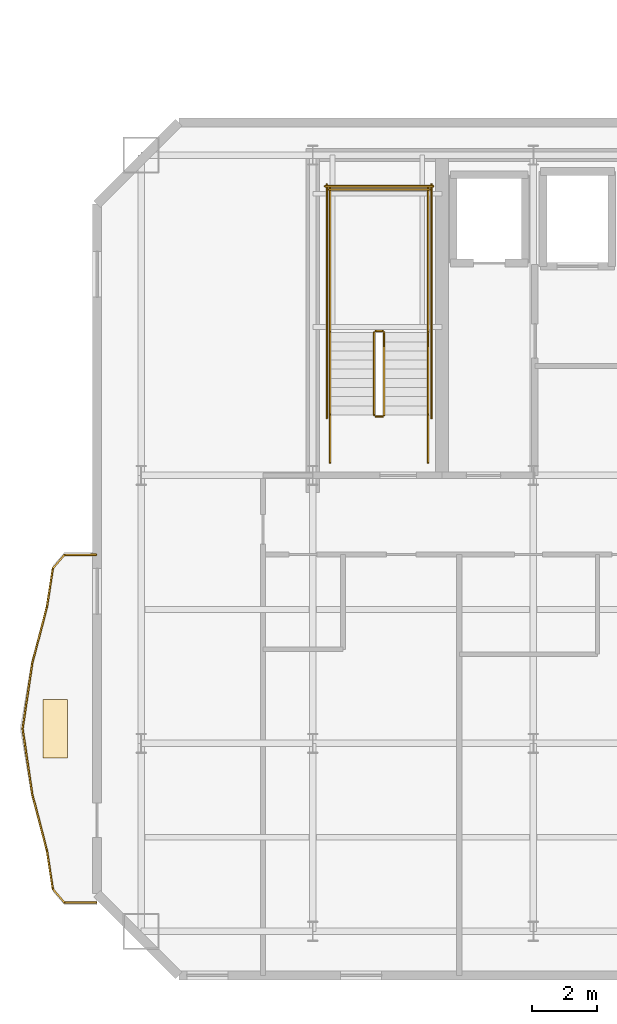
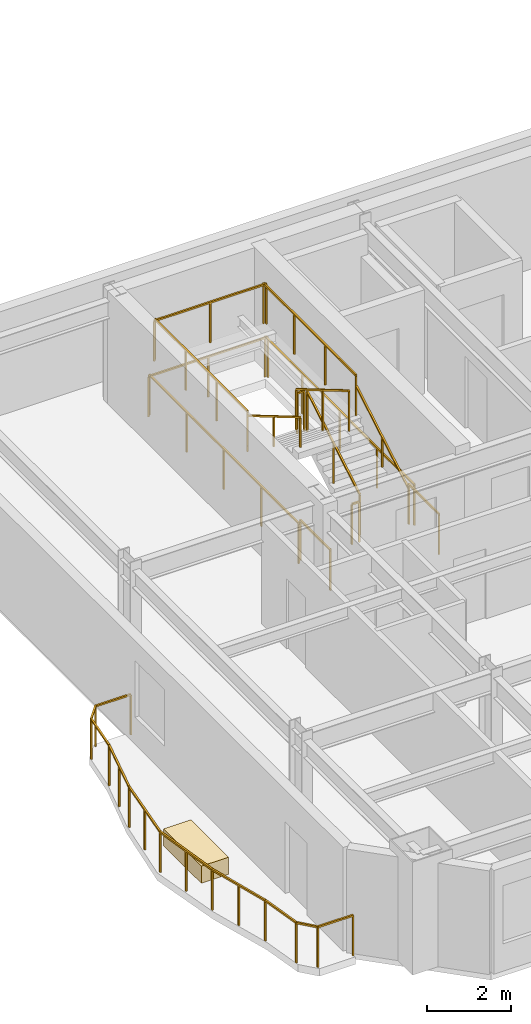
# One storey, part 10 of 13: 24 railings, 1 covering.
"""IFC4 building model written with IfcOpenShell, lengths in metres."""

from ifc_helpers import new_model, si_unit, direction, frame, origin, origin_2d, place, context, subcontext, project, spatial, rectangle, extrude, material, layer, layer_set, type_object, element, save


model = new_model("IFC4")

# Units and contexts
model_context = context("Model", 3, precision=1e-05, world=origin(), true_north=direction((0.0, 1.0)))
body_context = subcontext(model_context, "Body", "Model", "MODEL_VIEW")
ifc_project = project(units=[si_unit("LENGTHUNIT", "METRE"), si_unit("AREAUNIT", "SQUARE_METRE"), si_unit("VOLUMEUNIT", "CUBIC_METRE"), si_unit("PLANEANGLEUNIT", "RADIAN"), si_unit("MASSUNIT", "GRAM", prefix="KILO")], contexts=[model_context])

# Site, building, storey
site_placement = place(None, origin())
site = spatial("IfcSite", under=ifc_project, at=site_placement, CompositionType="ELEMENT")
building_placement = place(site_placement, origin())
building = spatial("IfcBuilding", under=site, at=building_placement, Name="Haevon Station Towers", CompositionType="ELEMENT")
storey_placement = place(building_placement, frame((0.0, 0.0, 225.300048828125)))
storey = spatial("IfcBuildingStorey", under=building, at=storey_placement, Name="L62", CompositionType="ELEMENT", Elevation=225.300048828125)

# Railings
ifc_material_1 = material(Name="Steel S355", Category="steel")
railing_type_1 = type_object("IfcRailingType", Name="GRD-EXT1200", PredefinedType="GUARDRAIL", material=ifc_material_1)
railing_1_placement = place(storey_placement, frame((17.37646484375, 35.772216796875, 0.0)))
element("IfcRailing", 1, at=railing_1_placement, inside=storey, type_object=railing_type_1, Name="L62 Perimeter Guardrail 1", PredefinedType="GUARDRAIL", context=body_context, shape_type="SweptSolid", body=[
    extrude(rectangle(XDim=0.048095703125, YDim=0.048095703125, at=origin_2d()), frame((0.0, 0.0, 1.17578125), z_axis=(-0.999997457331, -0.002255068182, 0.0), x_axis=(0.002255068182, -0.999997457331, 0.0)), (0.0, 0.0, 1.0), 0.974365234375),
    extrude(rectangle(XDim=0.0419921875, YDim=0.0419921875, at=origin_2d()), origin(), (0.0, 0.0, 1.0), 1.15185546875),
    extrude(rectangle(XDim=0.0419921875, YDim=0.0419921875, at=origin_2d()), frame((-0.974365234375, -0.002197265625, 0.0)), (0.0, 0.0, 1.0), 1.15185546875),
])
railing_2_placement = place(storey_placement, frame((16.402099609375, 35.77001953125, 0.0)))
element("IfcRailing", 2, at=railing_2_placement, inside=storey, type_object=railing_type_1, Name="L62 Perimeter Guardrail 2", PredefinedType="GUARDRAIL", context=body_context, shape_type="SweptSolid", body=[
    extrude(rectangle(XDim=0.048095703125, YDim=0.048095703125, at=origin_2d()), frame((0.0, 0.0, 1.17578125), z_axis=(-0.65275272143, -0.757571042652, 0.0), x_axis=(0.757571042652, -0.65275272143, 0.0)), (0.0, 0.0, 1.0), 0.542724609375),
    extrude(rectangle(XDim=0.0419921875, YDim=0.0419921875, at=origin_2d()), origin(), (0.0, 0.0, 1.0), 1.15185546875),
    extrude(rectangle(XDim=0.0419921875, YDim=0.0419921875, at=origin_2d()), frame((-0.354248046875, -0.4111328125, 0.0)), (0.0, 0.0, 1.0), 1.15185546875),
])
railing_3_placement = place(storey_placement, frame((16.0478515625, 35.35888671875, 0.0)))
element("IfcRailing", 3, at=railing_3_placement, inside=storey, type_object=railing_type_1, Name="L62 Perimeter Guardrail 3", PredefinedType="GUARDRAIL", context=body_context, shape_type="SweptSolid", body=[
    extrude(rectangle(XDim=0.048095703125, YDim=0.048095703125, at=origin_2d()), frame((0.0, 0.0, 1.17578125), z_axis=(-0.152150136811, -0.988357392783, 0.0), x_axis=(0.988357392783, -0.152150136811, 0.0)), (0.0, 0.0, 1.0), 1.18408203125),
    extrude(rectangle(XDim=0.0419921875, YDim=0.0419921875, at=origin_2d()), origin(), (0.0, 0.0, 1.0), 1.15185546875),
    extrude(rectangle(XDim=0.0419921875, YDim=0.0419921875, at=origin_2d()), frame((-0.18017578125, -1.17041015625, 0.0)), (0.0, 0.0, 1.0), 1.15185546875),
])
railing_4_placement = place(storey_placement, frame((15.86767578125, 34.1884765625, 0.0)))
element("IfcRailing", 4, at=railing_4_placement, inside=storey, type_object=railing_type_1, Name="L62 Perimeter Guardrail 4", PredefinedType="GUARDRAIL", context=body_context, shape_type="SweptSolid", body=[
    extrude(rectangle(XDim=0.048095703125, YDim=0.048095703125, at=origin_2d()), frame((0.0, 0.0, 1.17578125), z_axis=(-0.25111702381, -0.967956734752, 0.0), x_axis=(0.967956734752, -0.25111702381, 0.0)), (0.0, 0.0, 1.0), 1.805419921875),
    extrude(rectangle(XDim=0.0419921875, YDim=0.0419921875, at=origin_2d()), origin(), (0.0, 0.0, 1.0), 1.15185546875),
    extrude(rectangle(XDim=0.0419921875, YDim=0.0419921875, at=origin_2d()), frame((-0.2265625, -0.873779296875, 0.0)), (0.0, 0.0, 1.0), 1.15185546875),
    extrude(rectangle(XDim=0.0419921875, YDim=0.0419921875, at=origin_2d()), frame((-0.453369140625, -1.74755859375, 0.0)), (0.0, 0.0, 1.0), 1.15185546875),
])
railing_5_placement = place(storey_placement, frame((15.414306640625, 32.44091796875, 0.0)))
element("IfcRailing", 5, at=railing_5_placement, inside=storey, type_object=railing_type_1, Name="L62 Perimeter Guardrail 5", PredefinedType="GUARDRAIL", context=body_context, shape_type="SweptSolid", body=[
    extrude(rectangle(XDim=0.048095703125, YDim=0.048095703125, at=origin_2d()), frame((0.0, 0.0, 1.17578125), z_axis=(-0.14558130584, -0.989346290937, 0.0), x_axis=(0.989346290937, -0.14558130584, 0.0)), (0.0, 0.0, 1.0), 2.012451171875),
    extrude(rectangle(XDim=0.0419921875, YDim=0.0419921875, at=origin_2d()), origin(), (0.0, 0.0, 1.0), 1.15185546875),
    extrude(rectangle(XDim=0.0419921875, YDim=0.0419921875, at=origin_2d()), frame((-0.146484375, -0.99560546875, 0.0)), (0.0, 0.0, 1.0), 1.15185546875),
    extrude(rectangle(XDim=0.0419921875, YDim=0.0419921875, at=origin_2d()), frame((-0.29296875, -1.990966796875, 0.0)), (0.0, 0.0, 1.0), 1.15185546875),
])
railing_6_placement = place(storey_placement, frame((15.121337890625, 30.449951171875, 0.0)))
element("IfcRailing", 6, at=railing_6_placement, inside=storey, type_object=railing_type_1, Name="L62 Perimeter Guardrail 6", PredefinedType="GUARDRAIL", context=body_context, shape_type="SweptSolid", body=[
    extrude(rectangle(XDim=0.048095703125, YDim=0.048095703125, at=origin_2d()), frame((0.0, 0.0, 1.17578125), z_axis=(0.14558130584, -0.989346290937, 0.0), x_axis=(0.989346290937, 0.14558130584, 0.0)), (0.0, 0.0, 1.0), 2.012451171875),
    extrude(rectangle(XDim=0.0419921875, YDim=0.0419921875, at=origin_2d()), origin(), (0.0, 0.0, 1.0), 1.15185546875),
    extrude(rectangle(XDim=0.0419921875, YDim=0.0419921875, at=origin_2d()), frame((0.146484375, -0.99560546875, 0.0)), (0.0, 0.0, 1.0), 1.15185546875),
    extrude(rectangle(XDim=0.0419921875, YDim=0.0419921875, at=origin_2d()), frame((0.29296875, -1.990966796875, 0.0)), (0.0, 0.0, 1.0), 1.15185546875),
])
railing_7_placement = place(storey_placement, frame((15.414306640625, 28.458984375, 0.0)))
element("IfcRailing", 7, at=railing_7_placement, inside=storey, type_object=railing_type_1, Name="L62 Perimeter Guardrail 7", PredefinedType="GUARDRAIL", context=body_context, shape_type="SweptSolid", body=[
    extrude(rectangle(XDim=0.048095703125, YDim=0.048095703125, at=origin_2d()), frame((0.0, 0.0, 1.17578125), z_axis=(0.25111702381, -0.967956734752, 0.0), x_axis=(0.967956734752, 0.25111702381, 0.0)), (0.0, 0.0, 1.0), 1.805419921875),
    extrude(rectangle(XDim=0.0419921875, YDim=0.0419921875, at=origin_2d()), origin(), (0.0, 0.0, 1.0), 1.15185546875),
    extrude(rectangle(XDim=0.0419921875, YDim=0.0419921875, at=origin_2d()), frame((0.2265625, -0.873779296875, 0.0)), (0.0, 0.0, 1.0), 1.15185546875),
    extrude(rectangle(XDim=0.0419921875, YDim=0.0419921875, at=origin_2d()), frame((0.453369140625, -1.74755859375, 0.0)), (0.0, 0.0, 1.0), 1.15185546875),
])
railing_8_placement = place(storey_placement, frame((15.86767578125, 26.71142578125, 0.0)))
element("IfcRailing", 8, at=railing_8_placement, inside=storey, type_object=railing_type_1, Name="L62 Perimeter Guardrail 8", PredefinedType="GUARDRAIL", context=body_context, shape_type="SweptSolid", body=[
    extrude(rectangle(XDim=0.048095703125, YDim=0.048095703125, at=origin_2d()), frame((0.0, 0.0, 1.17578125), z_axis=(0.152150136811, -0.988357392783, 0.0), x_axis=(0.988357392783, 0.152150136811, 0.0)), (0.0, 0.0, 1.0), 1.18408203125),
    extrude(rectangle(XDim=0.0419921875, YDim=0.0419921875, at=origin_2d()), origin(), (0.0, 0.0, 1.0), 1.15185546875),
    extrude(rectangle(XDim=0.0419921875, YDim=0.0419921875, at=origin_2d()), frame((0.18017578125, -1.17041015625, 0.0)), (0.0, 0.0, 1.0), 1.15185546875),
])
railing_9_placement = place(storey_placement, frame((16.0478515625, 25.541015625, 0.0)))
element("IfcRailing", 9, at=railing_9_placement, inside=storey, type_object=railing_type_1, Name="L62 Perimeter Guardrail 9", PredefinedType="GUARDRAIL", context=body_context, shape_type="SweptSolid", body=[
    extrude(rectangle(XDim=0.048095703125, YDim=0.048095703125, at=origin_2d()), frame((0.0, 0.0, 1.17578125), z_axis=(0.65275272143, -0.757571042652, 0.0), x_axis=(0.757571042652, 0.65275272143, 0.0)), (0.0, 0.0, 1.0), 0.542724609375),
    extrude(rectangle(XDim=0.0419921875, YDim=0.0419921875, at=origin_2d()), origin(), (0.0, 0.0, 1.0), 1.15185546875),
    extrude(rectangle(XDim=0.0419921875, YDim=0.0419921875, at=origin_2d()), frame((0.354248046875, -0.4111328125, 0.0)), (0.0, 0.0, 1.0), 1.15185546875),
])
railing_10_placement = place(storey_placement, frame((16.402099609375, 25.1298828125, 0.0)))
element("IfcRailing", 10, at=railing_10_placement, inside=storey, type_object=railing_type_1, Name="L62 Perimeter Guardrail 10", PredefinedType="GUARDRAIL", context=body_context, shape_type="SweptSolid", body=[
    extrude(rectangle(XDim=0.048095703125, YDim=0.048095703125, at=origin_2d()), frame((0.0, 0.0, 1.17578125), z_axis=(0.999997990976, -0.002004506121, 0.0), x_axis=(0.002004506121, 0.999997990976, 0.0)), (0.0, 0.0, 1.0), 0.974365234375),
    extrude(rectangle(XDim=0.0419921875, YDim=0.0419921875, at=origin_2d()), origin(), (0.0, 0.0, 1.0), 1.15185546875),
    extrude(rectangle(XDim=0.0419921875, YDim=0.0419921875, at=origin_2d()), frame((0.974365234375, -0.001953125, 0.0)), (0.0, 0.0, 1.0), 1.15185546875),
])
railing_type_2 = type_object("IfcRailingType", Name="GRD-STR1200", PredefinedType="GUARDRAIL", material=ifc_material_1)
railing_11_placement = place(storey_placement, frame((26.179931640625, 40.050048828125, 0.1650390625)))
element("IfcRailing", 11, at=railing_11_placement, inside=storey, type_object=railing_type_2, Name="L62 ST1 Stair Guard 1", PredefinedType="GUARDRAIL", context=body_context, shape_type="SweptSolid", body=[
    extrude(rectangle(XDim=0.048095703125, YDim=0.048095703125, at=origin_2d()), frame((0.0, 0.0, 1.17578125), z_axis=(0.0, 0.861560626758, 0.507654692109), x_axis=(-1.0, 0.0, 0.0)), (0.0, 0.0, 1.0), 2.925048828125),
    extrude(rectangle(XDim=0.0419921875, YDim=0.0419921875, at=origin_2d()), origin(), (0.0, 0.0, 1.0), 1.15185546875),
    extrude(rectangle(XDim=0.0419921875, YDim=0.0419921875, at=origin_2d()), frame((0.0, 1.260009765625, 0.742431640625)), (0.0, 0.0, 1.0), 1.15185546875),
    extrude(rectangle(XDim=0.0419921875, YDim=0.0419921875, at=origin_2d()), frame((0.0, 2.52001953125, 1.48486328125)), (0.0, 0.0, 1.0), 1.15185546875),
])
railing_12_placement = place(storey_placement, frame((26.1298828125, 42.6201171875, 1.64990234375)))
element("IfcRailing", 12, at=railing_12_placement, inside=storey, type_object=railing_type_2, Name="L62 ST1 Stair Guard 2", PredefinedType="GUARDRAIL", context=body_context, shape_type="SweptSolid", body=[
    extrude(rectangle(XDim=0.048095703125, YDim=0.048095703125, at=origin_2d()), frame((0.0, 0.0, 1.17578125), z_axis=(-1.0, 0.0, 0.0), x_axis=(0.0, -1.0, 0.0)), (0.0, 0.0, 1.0), 0.199951171875),
    extrude(rectangle(XDim=0.0419921875, YDim=0.0419921875, at=origin_2d()), origin(), (0.0, 0.0, 1.0), 1.15185546875),
    extrude(rectangle(XDim=0.0419921875, YDim=0.0419921875, at=origin_2d()), frame((-0.199951171875, 0.0, 0.0)), (0.0, 0.0, 1.0), 1.15185546875),
])
for number, where, name in (
    (13, (27.530029296875, 42.570068359375, 1.64990234375), "L62 ST1 Stair Guard 3"),
    (14, (24.530029296875, 42.570068359375, 1.64990234375), "L62 ST1 Stair Guard 4"),
):
    element("IfcRailing", number, at=place(storey_placement, frame(where)), inside=storey, type_object=railing_type_2, Name=name, PredefinedType="GUARDRAIL", context=body_context, shape_type="SweptSolid", body=[
        extrude(rectangle(XDim=0.048095703125, YDim=0.048095703125, at=origin_2d()), frame((0.0, 0.0, 1.17578125), z_axis=(0.0, 1.0, 0.0), x_axis=(-1.0, 0.0, 0.0)), (0.0, 0.0, 1.0), 4.429931640625),
        extrude(rectangle(XDim=0.0419921875, YDim=0.0419921875, at=origin_2d()), origin(), (0.0, 0.0, 1.0), 1.15185546875),
        extrude(rectangle(XDim=0.0419921875, YDim=0.0419921875, at=origin_2d()), frame((0.0, 1.4765625, 0.0)), (0.0, 0.0, 1.0), 1.15185546875),
        extrude(rectangle(XDim=0.0419921875, YDim=0.0419921875, at=origin_2d()), frame((0.0, 2.953369140625, 0.0)), (0.0, 0.0, 1.0), 1.15185546875),
        extrude(rectangle(XDim=0.0419921875, YDim=0.0419921875, at=origin_2d()), frame((0.0, 4.429931640625, 0.0)), (0.0, 0.0, 1.0), 1.15185546875),
    ])
railing_13_placement = place(storey_placement, frame((27.580078125, 46.949951171875, 1.64990234375)))
element("IfcRailing", 15, at=railing_13_placement, inside=storey, type_object=railing_type_2, Name="L62 ST1 Stair Guard 5", PredefinedType="GUARDRAIL", context=body_context, shape_type="SweptSolid", body=[
    extrude(rectangle(XDim=0.048095703125, YDim=0.048095703125, at=origin_2d()), frame((0.0, 0.0, 1.17578125), z_axis=(-1.0, 0.0, 0.0), x_axis=(0.0, -1.0, 0.0)), (0.0, 0.0, 1.0), 3.10009765625),
    extrude(rectangle(XDim=0.0419921875, YDim=0.0419921875, at=origin_2d()), origin(), (0.0, 0.0, 1.0), 1.15185546875),
    extrude(rectangle(XDim=0.0419921875, YDim=0.0419921875, at=origin_2d()), frame((-1.550048828125, 0.0, 0.0)), (0.0, 0.0, 1.0), 1.15185546875),
    extrude(rectangle(XDim=0.0419921875, YDim=0.0419921875, at=origin_2d()), frame((-3.10009765625, 0.0, 0.0)), (0.0, 0.0, 1.0), 1.15185546875),
])
railing_14_placement = place(storey_placement, frame((25.8798828125, 42.570068359375, 1.81494140625)))
element("IfcRailing", 16, at=railing_14_placement, inside=storey, type_object=railing_type_2, Name="L62 ST1 Stair Guard 6", PredefinedType="GUARDRAIL", context=body_context, shape_type="SweptSolid", body=[
    extrude(rectangle(XDim=0.048095703125, YDim=0.048095703125, at=origin_2d()), frame((0.0, 0.0, 1.17578125), z_axis=(0.0, -0.86152411907, 0.507716645641), x_axis=(1.0, 0.0, 0.0)), (0.0, 0.0, 1.0), 2.925048828125),
    extrude(rectangle(XDim=0.0419921875, YDim=0.0419921875, at=origin_2d()), origin(), (0.0, 0.0, 1.0), 1.15185546875),
    extrude(rectangle(XDim=0.0419921875, YDim=0.0419921875, at=origin_2d()), frame((0.0, -1.260009765625, 0.74267578125)), (0.0, 0.0, 1.0), 1.15185546875),
    extrude(rectangle(XDim=0.0419921875, YDim=0.0419921875, at=origin_2d()), frame((0.0, -2.52001953125, 1.485107421875)), (0.0, 0.0, 1.0), 1.15185546875),
])
railing_15_placement = place(storey_placement, frame((26.1298828125, 40.0, 0.0)))
element("IfcRailing", 17, at=railing_15_placement, inside=storey, type_object=railing_type_2, Name="L62 ST1 Stair Guard 7", PredefinedType="GUARDRAIL", context=body_context, shape_type="SweptSolid", body=[
    extrude(rectangle(XDim=0.048095703125, YDim=0.048095703125, at=origin_2d()), frame((0.0, 0.0, 1.17578125), z_axis=(-1.0, 0.0, 0.0), x_axis=(0.0, -1.0, 0.0)), (0.0, 0.0, 1.0), 0.199951171875),
    extrude(rectangle(XDim=0.0419921875, YDim=0.0419921875, at=origin_2d()), origin(), (0.0, 0.0, 1.0), 1.15185546875),
    extrude(rectangle(XDim=0.0419921875, YDim=0.0419921875, at=origin_2d()), frame((-0.199951171875, 0.0, 0.0)), (0.0, 0.0, 1.0), 1.15185546875),
])
for number, where, name in (
    (18, (27.530029296875, 38.60009765625, 0.0), "L62 ST1 Stair Guard 8"),
    (19, (24.530029296875, 38.60009765625, 0.0), "L62 ST1 Stair Guard 9"),
):
    element("IfcRailing", number, at=place(storey_placement, frame(where)), inside=storey, type_object=railing_type_2, Name=name, PredefinedType="GUARDRAIL", context=body_context, shape_type="SweptSolid", body=[
        extrude(rectangle(XDim=0.048095703125, YDim=0.048095703125, at=origin_2d()), frame((0.0, 0.0, 1.17578125), z_axis=(0.0, 1.0, 0.0), x_axis=(-1.0, 0.0, 0.0)), (0.0, 0.0, 1.0), 1.449951171875),
        extrude(rectangle(XDim=0.0419921875, YDim=0.0419921875, at=origin_2d()), origin(), (0.0, 0.0, 1.0), 1.15185546875),
        extrude(rectangle(XDim=0.0419921875, YDim=0.0419921875, at=origin_2d()), frame((0.0, 1.449951171875, 0.0)), (0.0, 0.0, 1.0), 1.15185546875),
    ])
for number, where, name in (
    (20, (27.6298828125, 39.949951171875, 0.0), "L62 ST1 Stair Guard 10"),
    (21, (24.429931640625, 39.949951171875, 0.0), "L62 ST1 Stair Guard 11"),
):
    element("IfcRailing", number, at=place(storey_placement, frame(where)), inside=storey, type_object=railing_type_2, Name=name, PredefinedType="GUARDRAIL", context=body_context, shape_type="SweptSolid", body=[
        extrude(rectangle(XDim=0.048095703125, YDim=0.048095703125, at=origin_2d()), frame((0.0, 0.0, 1.17578125), z_axis=(0.0, 1.0, 0.0), x_axis=(-1.0, 0.0, 0.0)), (0.0, 0.0, 1.0), 7.150146484375),
        extrude(rectangle(XDim=0.0419921875, YDim=0.0419921875, at=origin_2d()), origin(), (0.0, 0.0, 1.0), 1.15185546875),
        extrude(rectangle(XDim=0.0419921875, YDim=0.0419921875, at=origin_2d()), frame((0.0, 1.78759765625, 0.0)), (0.0, 0.0, 1.0), 1.15185546875),
        extrude(rectangle(XDim=0.0419921875, YDim=0.0419921875, at=origin_2d()), frame((0.0, 3.5751953125, 0.0)), (0.0, 0.0, 1.0), 1.15185546875),
        extrude(rectangle(XDim=0.0419921875, YDim=0.0419921875, at=origin_2d()), frame((0.0, 5.362548828125, 0.0)), (0.0, 0.0, 1.0), 1.15185546875),
        extrude(rectangle(XDim=0.0419921875, YDim=0.0419921875, at=origin_2d()), frame((0.0, 7.150146484375, 0.0)), (0.0, 0.0, 1.0), 1.15185546875),
    ])
railing_16_placement = place(storey_placement, frame((27.679931640625, 47.050048828125, 0.0)))
element("IfcRailing", 22, at=railing_16_placement, inside=storey, type_object=railing_type_2, Name="L62 ST1 Stair Guard 12", PredefinedType="GUARDRAIL", context=body_context, shape_type="SweptSolid", body=[
    extrude(rectangle(XDim=0.048095703125, YDim=0.048095703125, at=origin_2d()), frame((0.0, 0.0, 1.17578125), z_axis=(-1.0, 0.0, 0.0), x_axis=(0.0, -1.0, 0.0)), (0.0, 0.0, 1.0), 3.300048828125),
    extrude(rectangle(XDim=0.0419921875, YDim=0.0419921875, at=origin_2d()), origin(), (0.0, 0.0, 1.0), 1.15185546875),
    extrude(rectangle(XDim=0.0419921875, YDim=0.0419921875, at=origin_2d()), frame((-1.64990234375, 0.0, 0.0)), (0.0, 0.0, 1.0), 1.15185546875),
    extrude(rectangle(XDim=0.0419921875, YDim=0.0419921875, at=origin_2d()), frame((-3.300048828125, 0.0, 0.0)), (0.0, 0.0, 1.0), 1.15185546875),
])
railing_type_3 = type_object("IfcRailingType", Name="HND-STR900", PredefinedType="HANDRAIL", material=ifc_material_1)
railing_17_placement = place(storey_placement, frame((27.530029296875, 40.050048828125, 0.1650390625)))
element("IfcRailing", 23, at=railing_17_placement, inside=storey, type_object=railing_type_3, Name="L62 ST1 Stair Handrail 1", PredefinedType="HANDRAIL", context=body_context, shape_type="SweptSolid", body=[
    extrude(rectangle(XDim=0.048095703125, YDim=0.048095703125, at=origin_2d()), frame((0.0, 0.0, 0.8759765625), z_axis=(0.0, 0.861560626758, 0.507654692109), x_axis=(-1.0, 0.0, 0.0)), (0.0, 0.0, 1.0), 2.925048828125),
    extrude(rectangle(XDim=0.0419921875, YDim=0.0419921875, at=origin_2d()), origin(), (0.0, 0.0, 1.0), 0.851806640625),
    extrude(rectangle(XDim=0.0419921875, YDim=0.0419921875, at=origin_2d()), frame((0.0, 1.260009765625, 0.742431640625)), (0.0, 0.0, 1.0), 0.851806640625),
    extrude(rectangle(XDim=0.0419921875, YDim=0.0419921875, at=origin_2d()), frame((0.0, 2.52001953125, 1.48486328125)), (0.0, 0.0, 1.0), 0.851806640625),
])
railing_18_placement = place(storey_placement, frame((24.530029296875, 42.570068359375, 1.81494140625)))
element("IfcRailing", 24, at=railing_18_placement, inside=storey, type_object=railing_type_3, Name="L62 ST1 Stair Handrail 2", PredefinedType="HANDRAIL", context=body_context, shape_type="SweptSolid", body=[
    extrude(rectangle(XDim=0.048095703125, YDim=0.048095703125, at=origin_2d()), frame((0.0, 0.0, 0.8759765625), z_axis=(0.0, -0.86152411907, 0.507716645641), x_axis=(1.0, 0.0, 0.0)), (0.0, 0.0, 1.0), 2.925048828125),
    extrude(rectangle(XDim=0.0419921875, YDim=0.0419921875, at=origin_2d()), origin(), (0.0, 0.0, 1.0), 0.851806640625),
    extrude(rectangle(XDim=0.0419921875, YDim=0.0419921875, at=origin_2d()), frame((0.0, -1.260009765625, 0.74267578125)), (0.0, 0.0, 1.0), 0.851806640625),
    extrude(rectangle(XDim=0.0419921875, YDim=0.0419921875, at=origin_2d()), frame((0.0, -2.52001953125, 1.485107421875)), (0.0, 0.0, 1.0), 0.851806640625),
])

# Covering
ifc_material_2 = material(Name="Architectural planter GRC", Category="concrete")
ifc_layer = layer(ifc_material_2, 0.550048828125)
ifc_layer_set = layer_set([ifc_layer], Name="Architectural planter GRC")
covering_type = type_object("IfcCoveringType", Name="PLN-GRC550", PredefinedType="MOLDING", material=ifc_layer_set)
covering_placement = place(storey_placement, frame((16.112548828125, 30.449951171875, 0.0), z_axis=(0.0, 0.0, 1.0), x_axis=(1.0, 0.0, 0.0)))
element("IfcCovering", 25, at=covering_placement, inside=storey, type_object=covering_type, Name="Tower 1 L62 Scalloped Balcony PLANTER", PredefinedType="MOLDING", context=body_context, shape_type="SweptSolid", body=[
    extrude(rectangle(XDim=0.75, YDim=1.800048828125, at=origin_2d()), origin(), (0.0, 0.0, 1.0), 0.5),
])

save(model, "model.ifc")
